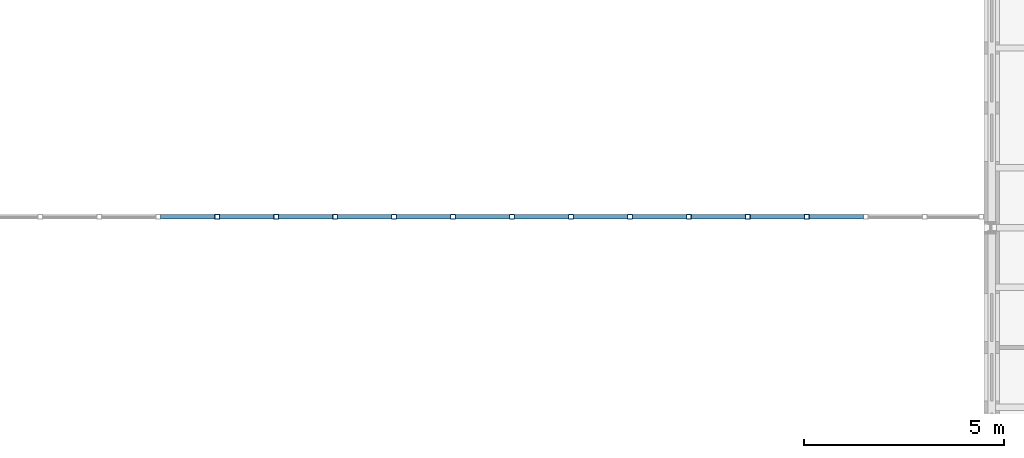
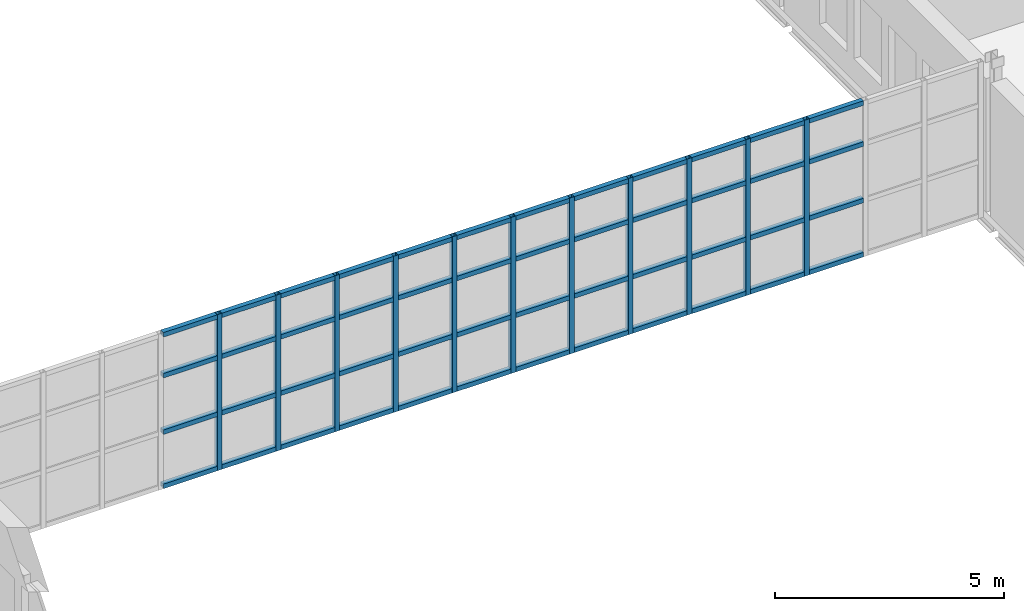
# One storey, part 31 of 154: 59 members, 1 element without a shape of its own.
"""IFC4 building model written with IfcOpenShell, lengths in metres."""

from ifc_helpers import new_model, si_unit, direction, frame, origin, origin_2d, place, context, subcontext, project, spatial, hollow_rectangle, extrude, material, material_profile, profile_set, type_object, element, aggregate, save


model = new_model("IFC4")

# Units and contexts
model_context = context("Model", 3, precision=1e-05, world=origin(), true_north=direction((0.0, 1.0)))
body_context = subcontext(model_context, "Body", "Model", "MODEL_VIEW")
ifc_project = project(units=[si_unit("LENGTHUNIT", "METRE"), si_unit("AREAUNIT", "SQUARE_METRE"), si_unit("VOLUMEUNIT", "CUBIC_METRE"), si_unit("PLANEANGLEUNIT", "RADIAN"), si_unit("MASSUNIT", "GRAM", prefix="KILO")], contexts=[model_context])

# Site, building, storey
site_placement = place(None, origin())
site = spatial("IfcSite", under=ifc_project, at=site_placement, CompositionType="ELEMENT")
building_placement = place(site_placement, origin())
building = spatial("IfcBuilding", under=site, at=building_placement, Name="Golden Quay Civic Hall", CompositionType="ELEMENT")
storey_placement = place(building_placement, frame((0.0, 0.0, 14.39990234375)))
storey = spatial("IfcBuildingStorey", under=building, at=storey_placement, Name="L03", CompositionType="ELEMENT", Elevation=14.39990234375)

# Curtain wall, members
ifc_material_1 = material(Name="Fire-resisting glass and steel", Category="steel")
curtain_wall_type = type_object("IfcCurtainWallType", Name="Fire-resisting glazed curtain wall EI 120", PredefinedType="NOTDEFINED", material=ifc_material_1)
curtain_wall_placement = place(storey_placement, origin())
curtain_wall = element("IfcCurtainWall", 1, at=curtain_wall_placement, inside=storey, type_object=curtain_wall_type, Name="CW3 curtain wall", PredefinedType="NOTDEFINED")
ifc_material_2 = material(Name="Steel S355", Category="steel")
ifc_material_profile_1 = material_profile(ifc_material_2, hollow_rectangle(XDim=0.1201171875, YDim=0.1201171875, WallThickness=0.008056640625, at=origin_2d()), Name="SHS 120x120x8")
ifc_profile_set_1 = profile_set([ifc_material_profile_1], Name="Steel S355")
member_type_1 = type_object("IfcMemberType", Name="Fire-resisting steel mullion SHS 120x120x8", PredefinedType="MULLION", material=ifc_profile_set_1)
member_1_placement = place(storey_placement, frame((79.5888671875, 36.27001953125, -0.199951171875), z_axis=(0.0, 0.0, 1.0), x_axis=(0.0, 1.0, 0.0)))
member_1 = element("IfcMember", 2, at=member_1_placement, type_object=member_type_1, Name="CW3 mullion 6", PredefinedType="MULLION", context=body_context, shape_type="SweptSolid", body=[
    extrude(hollow_rectangle(XDim=0.1201171875, YDim=0.1201171875, WallThickness=0.008056640625, at=origin_2d()), origin(), (0.0, 0.0, 1.0), 4.150146484375),
])
member_2_placement = place(storey_placement, frame((81.066650390625, 36.27001953125, -0.199951171875), z_axis=(0.0, 0.0, 1.0), x_axis=(0.0, 1.0, 0.0)))
member_2 = element("IfcMember", 3, at=member_2_placement, type_object=member_type_1, Name="CW3 mullion 7", PredefinedType="MULLION", context=body_context, shape_type="SweptSolid", body=[
    extrude(hollow_rectangle(XDim=0.1201171875, YDim=0.1201171875, WallThickness=0.008056640625, at=origin_2d()), origin(), (0.0, 0.0, 1.0), 4.150146484375),
])
member_3_placement = place(storey_placement, frame((82.54443359375, 36.27001953125, -0.199951171875), z_axis=(0.0, 0.0, 1.0), x_axis=(0.0, 1.0, 0.0)))
member_3 = element("IfcMember", 4, at=member_3_placement, type_object=member_type_1, Name="CW3 mullion 8", PredefinedType="MULLION", context=body_context, shape_type="SweptSolid", body=[
    extrude(hollow_rectangle(XDim=0.1201171875, YDim=0.1201171875, WallThickness=0.008056640625, at=origin_2d()), origin(), (0.0, 0.0, 1.0), 4.150146484375),
])
member_4_placement = place(storey_placement, frame((84.022216796875, 36.27001953125, -0.199951171875), z_axis=(0.0, 0.0, 1.0), x_axis=(0.0, 1.0, 0.0)))
member_4 = element("IfcMember", 5, at=member_4_placement, type_object=member_type_1, Name="CW3 mullion 9", PredefinedType="MULLION", context=body_context, shape_type="SweptSolid", body=[
    extrude(hollow_rectangle(XDim=0.1201171875, YDim=0.1201171875, WallThickness=0.008056640625, at=origin_2d()), origin(), (0.0, 0.0, 1.0), 4.150146484375),
])
member_5_placement = place(storey_placement, frame((85.5, 36.27001953125, -0.199951171875), z_axis=(0.0, 0.0, 1.0), x_axis=(0.0, 1.0, 0.0)))
member_5 = element("IfcMember", 6, at=member_5_placement, type_object=member_type_1, Name="CW3 mullion 10", PredefinedType="MULLION", context=body_context, shape_type="SweptSolid", body=[
    extrude(hollow_rectangle(XDim=0.1201171875, YDim=0.1201171875, WallThickness=0.008056640625, at=origin_2d()), origin(), (0.0, 0.0, 1.0), 4.150146484375),
])
member_6_placement = place(storey_placement, frame((86.977783203125, 36.27001953125, -0.199951171875), z_axis=(0.0, 0.0, 1.0), x_axis=(0.0, 1.0, 0.0)))
member_6 = element("IfcMember", 7, at=member_6_placement, type_object=member_type_1, Name="CW3 mullion 11", PredefinedType="MULLION", context=body_context, shape_type="SweptSolid", body=[
    extrude(hollow_rectangle(XDim=0.1201171875, YDim=0.1201171875, WallThickness=0.008056640625, at=origin_2d()), origin(), (0.0, 0.0, 1.0), 4.150146484375),
])
member_7_placement = place(storey_placement, frame((88.45556640625, 36.27001953125, -0.199951171875), z_axis=(0.0, 0.0, 1.0), x_axis=(0.0, 1.0, 0.0)))
member_7 = element("IfcMember", 8, at=member_7_placement, type_object=member_type_1, Name="CW3 mullion 12", PredefinedType="MULLION", context=body_context, shape_type="SweptSolid", body=[
    extrude(hollow_rectangle(XDim=0.1201171875, YDim=0.1201171875, WallThickness=0.008056640625, at=origin_2d()), origin(), (0.0, 0.0, 1.0), 4.150146484375),
])
member_8_placement = place(storey_placement, frame((89.933349609375, 36.27001953125, -0.199951171875), z_axis=(0.0, 0.0, 1.0), x_axis=(0.0, 1.0, 0.0)))
member_8 = element("IfcMember", 9, at=member_8_placement, type_object=member_type_1, Name="CW3 mullion 13", PredefinedType="MULLION", context=body_context, shape_type="SweptSolid", body=[
    extrude(hollow_rectangle(XDim=0.1201171875, YDim=0.1201171875, WallThickness=0.008056640625, at=origin_2d()), origin(), (0.0, 0.0, 1.0), 4.150146484375),
])
member_9_placement = place(storey_placement, frame((91.4111328125, 36.27001953125, -0.199951171875), z_axis=(0.0, 0.0, 1.0), x_axis=(0.0, 1.0, 0.0)))
member_9 = element("IfcMember", 10, at=member_9_placement, type_object=member_type_1, Name="CW3 mullion 14", PredefinedType="MULLION", context=body_context, shape_type="SweptSolid", body=[
    extrude(hollow_rectangle(XDim=0.1201171875, YDim=0.1201171875, WallThickness=0.008056640625, at=origin_2d()), origin(), (0.0, 0.0, 1.0), 4.150146484375),
])
member_10_placement = place(storey_placement, frame((92.888916015625, 36.27001953125, -0.199951171875), z_axis=(0.0, 0.0, 1.0), x_axis=(0.0, 1.0, 0.0)))
member_10 = element("IfcMember", 11, at=member_10_placement, type_object=member_type_1, Name="CW3 mullion 15", PredefinedType="MULLION", context=body_context, shape_type="SweptSolid", body=[
    extrude(hollow_rectangle(XDim=0.1201171875, YDim=0.1201171875, WallThickness=0.008056640625, at=origin_2d()), origin(), (0.0, 0.0, 1.0), 4.150146484375),
])
member_11_placement = place(storey_placement, frame((94.36669921875, 36.27001953125, -0.199951171875), z_axis=(0.0, 0.0, 1.0), x_axis=(0.0, 1.0, 0.0)))
member_11 = element("IfcMember", 12, at=member_11_placement, type_object=member_type_1, Name="CW3 mullion 16", PredefinedType="MULLION", context=body_context, shape_type="SweptSolid", body=[
    extrude(hollow_rectangle(XDim=0.1201171875, YDim=0.1201171875, WallThickness=0.008056640625, at=origin_2d()), origin(), (0.0, 0.0, 1.0), 4.150146484375),
])
ifc_material_3 = material(Name="Steel S355", Category="steel")
ifc_material_profile_2 = material_profile(ifc_material_3, hollow_rectangle(XDim=0.1201171875, YDim=0.1201171875, WallThickness=0.008056640625, at=origin_2d()), Name="SHS 120x120x8")
ifc_profile_set_2 = profile_set([ifc_material_profile_2], Name="Steel S355")
member_type_2 = type_object("IfcMemberType", Name="Fire-resisting steel transom SHS 120x120x8", PredefinedType="USERDEFINED", material=ifc_profile_set_2)
member_12_placement = place(storey_placement, frame((78.171142578125, 36.27001953125, -0.139892578125), z_axis=(1.0, 0.0, 0.0), x_axis=(0.0, 1.0, 0.0)))
member_12 = element("IfcMember", 13, at=member_12_placement, type_object=member_type_2, Name="CW3 transom 5.1", ObjectType="TRANSOM", PredefinedType="USERDEFINED", context=body_context, shape_type="SweptSolid", body=[
    extrude(hollow_rectangle(XDim=0.1201171875, YDim=0.1201171875, WallThickness=0.008056640625, at=origin_2d()), origin(), (0.0, 0.0, 1.0), 1.357666015625),
])
member_13_placement = place(storey_placement, frame((78.171142578125, 36.27001953125, 1.300048828125), z_axis=(1.0, 0.0, 0.0), x_axis=(0.0, 1.0, 0.0)))
member_13 = element("IfcMember", 14, at=member_13_placement, type_object=member_type_2, Name="CW3 transom 5.2", ObjectType="TRANSOM", PredefinedType="USERDEFINED", context=body_context, shape_type="SweptSolid", body=[
    extrude(hollow_rectangle(XDim=0.1201171875, YDim=0.1201171875, WallThickness=0.008056640625, at=origin_2d()), origin(), (0.0, 0.0, 1.0), 1.357666015625),
])
member_14_placement = place(storey_placement, frame((78.171142578125, 36.27001953125, 2.800048828125), z_axis=(1.0, 0.0, 0.0), x_axis=(0.0, 1.0, 0.0)))
member_14 = element("IfcMember", 15, at=member_14_placement, type_object=member_type_2, Name="CW3 transom 5.3", ObjectType="TRANSOM", PredefinedType="USERDEFINED", context=body_context, shape_type="SweptSolid", body=[
    extrude(hollow_rectangle(XDim=0.1201171875, YDim=0.1201171875, WallThickness=0.008056640625, at=origin_2d()), origin(), (0.0, 0.0, 1.0), 1.357666015625),
])
member_15_placement = place(storey_placement, frame((78.171142578125, 36.27001953125, 3.89013671875), z_axis=(1.0, 0.0, 0.0), x_axis=(0.0, 1.0, 0.0)))
member_15 = element("IfcMember", 16, at=member_15_placement, type_object=member_type_2, Name="CW3 transom 5.4", ObjectType="TRANSOM", PredefinedType="USERDEFINED", context=body_context, shape_type="SweptSolid", body=[
    extrude(hollow_rectangle(XDim=0.1201171875, YDim=0.1201171875, WallThickness=0.008056640625, at=origin_2d()), origin(), (0.0, 0.0, 1.0), 1.357666015625),
])
member_16_placement = place(storey_placement, frame((79.64892578125, 36.27001953125, -0.139892578125), z_axis=(1.0, 0.0, 0.0), x_axis=(0.0, 1.0, 0.0)))
member_16 = element("IfcMember", 17, at=member_16_placement, type_object=member_type_2, Name="CW3 transom 6.1", ObjectType="TRANSOM", PredefinedType="USERDEFINED", context=body_context, shape_type="SweptSolid", body=[
    extrude(hollow_rectangle(XDim=0.1201171875, YDim=0.1201171875, WallThickness=0.008056640625, at=origin_2d()), origin(), (0.0, 0.0, 1.0), 1.357666015625),
])
member_17_placement = place(storey_placement, frame((79.64892578125, 36.27001953125, 1.300048828125), z_axis=(1.0, 0.0, 0.0), x_axis=(0.0, 1.0, 0.0)))
member_17 = element("IfcMember", 18, at=member_17_placement, type_object=member_type_2, Name="CW3 transom 6.2", ObjectType="TRANSOM", PredefinedType="USERDEFINED", context=body_context, shape_type="SweptSolid", body=[
    extrude(hollow_rectangle(XDim=0.1201171875, YDim=0.1201171875, WallThickness=0.008056640625, at=origin_2d()), origin(), (0.0, 0.0, 1.0), 1.357666015625),
])
member_18_placement = place(storey_placement, frame((79.64892578125, 36.27001953125, 2.800048828125), z_axis=(1.0, 0.0, 0.0), x_axis=(0.0, 1.0, 0.0)))
member_18 = element("IfcMember", 19, at=member_18_placement, type_object=member_type_2, Name="CW3 transom 6.3", ObjectType="TRANSOM", PredefinedType="USERDEFINED", context=body_context, shape_type="SweptSolid", body=[
    extrude(hollow_rectangle(XDim=0.1201171875, YDim=0.1201171875, WallThickness=0.008056640625, at=origin_2d()), origin(), (0.0, 0.0, 1.0), 1.357666015625),
])
member_19_placement = place(storey_placement, frame((79.64892578125, 36.27001953125, 3.89013671875), z_axis=(1.0, 0.0, 0.0), x_axis=(0.0, 1.0, 0.0)))
member_19 = element("IfcMember", 20, at=member_19_placement, type_object=member_type_2, Name="CW3 transom 6.4", ObjectType="TRANSOM", PredefinedType="USERDEFINED", context=body_context, shape_type="SweptSolid", body=[
    extrude(hollow_rectangle(XDim=0.1201171875, YDim=0.1201171875, WallThickness=0.008056640625, at=origin_2d()), origin(), (0.0, 0.0, 1.0), 1.357666015625),
])
member_20_placement = place(storey_placement, frame((81.126708984375, 36.27001953125, -0.139892578125), z_axis=(1.0, 0.0, 0.0), x_axis=(0.0, 1.0, 0.0)))
member_20 = element("IfcMember", 21, at=member_20_placement, type_object=member_type_2, Name="CW3 transom 7.1", ObjectType="TRANSOM", PredefinedType="USERDEFINED", context=body_context, shape_type="SweptSolid", body=[
    extrude(hollow_rectangle(XDim=0.1201171875, YDim=0.1201171875, WallThickness=0.008056640625, at=origin_2d()), origin(), (0.0, 0.0, 1.0), 1.357666015625),
])
member_21_placement = place(storey_placement, frame((81.126708984375, 36.27001953125, 1.300048828125), z_axis=(1.0, 0.0, 0.0), x_axis=(0.0, 1.0, 0.0)))
member_21 = element("IfcMember", 22, at=member_21_placement, type_object=member_type_2, Name="CW3 transom 7.2", ObjectType="TRANSOM", PredefinedType="USERDEFINED", context=body_context, shape_type="SweptSolid", body=[
    extrude(hollow_rectangle(XDim=0.1201171875, YDim=0.1201171875, WallThickness=0.008056640625, at=origin_2d()), origin(), (0.0, 0.0, 1.0), 1.357666015625),
])
member_22_placement = place(storey_placement, frame((81.126708984375, 36.27001953125, 2.800048828125), z_axis=(1.0, 0.0, 0.0), x_axis=(0.0, 1.0, 0.0)))
member_22 = element("IfcMember", 23, at=member_22_placement, type_object=member_type_2, Name="CW3 transom 7.3", ObjectType="TRANSOM", PredefinedType="USERDEFINED", context=body_context, shape_type="SweptSolid", body=[
    extrude(hollow_rectangle(XDim=0.1201171875, YDim=0.1201171875, WallThickness=0.008056640625, at=origin_2d()), origin(), (0.0, 0.0, 1.0), 1.357666015625),
])
member_23_placement = place(storey_placement, frame((81.126708984375, 36.27001953125, 3.89013671875), z_axis=(1.0, 0.0, 0.0), x_axis=(0.0, 1.0, 0.0)))
member_23 = element("IfcMember", 24, at=member_23_placement, type_object=member_type_2, Name="CW3 transom 7.4", ObjectType="TRANSOM", PredefinedType="USERDEFINED", context=body_context, shape_type="SweptSolid", body=[
    extrude(hollow_rectangle(XDim=0.1201171875, YDim=0.1201171875, WallThickness=0.008056640625, at=origin_2d()), origin(), (0.0, 0.0, 1.0), 1.357666015625),
])
member_24_placement = place(storey_placement, frame((82.6044921875, 36.27001953125, -0.139892578125), z_axis=(1.0, 0.0, 0.0), x_axis=(0.0, 1.0, 0.0)))
member_24 = element("IfcMember", 25, at=member_24_placement, type_object=member_type_2, Name="CW3 transom 8.1", ObjectType="TRANSOM", PredefinedType="USERDEFINED", context=body_context, shape_type="SweptSolid", body=[
    extrude(hollow_rectangle(XDim=0.1201171875, YDim=0.1201171875, WallThickness=0.008056640625, at=origin_2d()), origin(), (0.0, 0.0, 1.0), 1.357666015625),
])
member_25_placement = place(storey_placement, frame((82.6044921875, 36.27001953125, 1.300048828125), z_axis=(1.0, 0.0, 0.0), x_axis=(0.0, 1.0, 0.0)))
member_25 = element("IfcMember", 26, at=member_25_placement, type_object=member_type_2, Name="CW3 transom 8.2", ObjectType="TRANSOM", PredefinedType="USERDEFINED", context=body_context, shape_type="SweptSolid", body=[
    extrude(hollow_rectangle(XDim=0.1201171875, YDim=0.1201171875, WallThickness=0.008056640625, at=origin_2d()), origin(), (0.0, 0.0, 1.0), 1.357666015625),
])
member_26_placement = place(storey_placement, frame((82.6044921875, 36.27001953125, 2.800048828125), z_axis=(1.0, 0.0, 0.0), x_axis=(0.0, 1.0, 0.0)))
member_26 = element("IfcMember", 27, at=member_26_placement, type_object=member_type_2, Name="CW3 transom 8.3", ObjectType="TRANSOM", PredefinedType="USERDEFINED", context=body_context, shape_type="SweptSolid", body=[
    extrude(hollow_rectangle(XDim=0.1201171875, YDim=0.1201171875, WallThickness=0.008056640625, at=origin_2d()), origin(), (0.0, 0.0, 1.0), 1.357666015625),
])
member_27_placement = place(storey_placement, frame((82.6044921875, 36.27001953125, 3.89013671875), z_axis=(1.0, 0.0, 0.0), x_axis=(0.0, 1.0, 0.0)))
member_27 = element("IfcMember", 28, at=member_27_placement, type_object=member_type_2, Name="CW3 transom 8.4", ObjectType="TRANSOM", PredefinedType="USERDEFINED", context=body_context, shape_type="SweptSolid", body=[
    extrude(hollow_rectangle(XDim=0.1201171875, YDim=0.1201171875, WallThickness=0.008056640625, at=origin_2d()), origin(), (0.0, 0.0, 1.0), 1.357666015625),
])
member_28_placement = place(storey_placement, frame((84.082275390625, 36.27001953125, -0.139892578125), z_axis=(1.0, 0.0, 0.0), x_axis=(0.0, 1.0, 0.0)))
member_28 = element("IfcMember", 29, at=member_28_placement, type_object=member_type_2, Name="CW3 transom 9.1", ObjectType="TRANSOM", PredefinedType="USERDEFINED", context=body_context, shape_type="SweptSolid", body=[
    extrude(hollow_rectangle(XDim=0.1201171875, YDim=0.1201171875, WallThickness=0.008056640625, at=origin_2d()), origin(), (0.0, 0.0, 1.0), 1.357666015625),
])
member_29_placement = place(storey_placement, frame((84.082275390625, 36.27001953125, 1.300048828125), z_axis=(1.0, 0.0, 0.0), x_axis=(0.0, 1.0, 0.0)))
member_29 = element("IfcMember", 30, at=member_29_placement, type_object=member_type_2, Name="CW3 transom 9.2", ObjectType="TRANSOM", PredefinedType="USERDEFINED", context=body_context, shape_type="SweptSolid", body=[
    extrude(hollow_rectangle(XDim=0.1201171875, YDim=0.1201171875, WallThickness=0.008056640625, at=origin_2d()), origin(), (0.0, 0.0, 1.0), 1.357666015625),
])
member_30_placement = place(storey_placement, frame((84.082275390625, 36.27001953125, 2.800048828125), z_axis=(1.0, 0.0, 0.0), x_axis=(0.0, 1.0, 0.0)))
member_30 = element("IfcMember", 31, at=member_30_placement, type_object=member_type_2, Name="CW3 transom 9.3", ObjectType="TRANSOM", PredefinedType="USERDEFINED", context=body_context, shape_type="SweptSolid", body=[
    extrude(hollow_rectangle(XDim=0.1201171875, YDim=0.1201171875, WallThickness=0.008056640625, at=origin_2d()), origin(), (0.0, 0.0, 1.0), 1.357666015625),
])
member_31_placement = place(storey_placement, frame((84.082275390625, 36.27001953125, 3.89013671875), z_axis=(1.0, 0.0, 0.0), x_axis=(0.0, 1.0, 0.0)))
member_31 = element("IfcMember", 32, at=member_31_placement, type_object=member_type_2, Name="CW3 transom 9.4", ObjectType="TRANSOM", PredefinedType="USERDEFINED", context=body_context, shape_type="SweptSolid", body=[
    extrude(hollow_rectangle(XDim=0.1201171875, YDim=0.1201171875, WallThickness=0.008056640625, at=origin_2d()), origin(), (0.0, 0.0, 1.0), 1.357666015625),
])
member_32_placement = place(storey_placement, frame((85.56005859375, 36.27001953125, -0.139892578125), z_axis=(1.0, 0.0, 0.0), x_axis=(0.0, 1.0, 0.0)))
member_32 = element("IfcMember", 33, at=member_32_placement, type_object=member_type_2, Name="CW3 transom 10.1", ObjectType="TRANSOM", PredefinedType="USERDEFINED", context=body_context, shape_type="SweptSolid", body=[
    extrude(hollow_rectangle(XDim=0.1201171875, YDim=0.1201171875, WallThickness=0.008056640625, at=origin_2d()), origin(), (0.0, 0.0, 1.0), 1.357666015625),
])
member_33_placement = place(storey_placement, frame((85.56005859375, 36.27001953125, 1.300048828125), z_axis=(1.0, 0.0, 0.0), x_axis=(0.0, 1.0, 0.0)))
member_33 = element("IfcMember", 34, at=member_33_placement, type_object=member_type_2, Name="CW3 transom 10.2", ObjectType="TRANSOM", PredefinedType="USERDEFINED", context=body_context, shape_type="SweptSolid", body=[
    extrude(hollow_rectangle(XDim=0.1201171875, YDim=0.1201171875, WallThickness=0.008056640625, at=origin_2d()), origin(), (0.0, 0.0, 1.0), 1.357666015625),
])
member_34_placement = place(storey_placement, frame((85.56005859375, 36.27001953125, 2.800048828125), z_axis=(1.0, 0.0, 0.0), x_axis=(0.0, 1.0, 0.0)))
member_34 = element("IfcMember", 35, at=member_34_placement, type_object=member_type_2, Name="CW3 transom 10.3", ObjectType="TRANSOM", PredefinedType="USERDEFINED", context=body_context, shape_type="SweptSolid", body=[
    extrude(hollow_rectangle(XDim=0.1201171875, YDim=0.1201171875, WallThickness=0.008056640625, at=origin_2d()), origin(), (0.0, 0.0, 1.0), 1.357666015625),
])
member_35_placement = place(storey_placement, frame((85.56005859375, 36.27001953125, 3.89013671875), z_axis=(1.0, 0.0, 0.0), x_axis=(0.0, 1.0, 0.0)))
member_35 = element("IfcMember", 36, at=member_35_placement, type_object=member_type_2, Name="CW3 transom 10.4", ObjectType="TRANSOM", PredefinedType="USERDEFINED", context=body_context, shape_type="SweptSolid", body=[
    extrude(hollow_rectangle(XDim=0.1201171875, YDim=0.1201171875, WallThickness=0.008056640625, at=origin_2d()), origin(), (0.0, 0.0, 1.0), 1.357666015625),
])
member_36_placement = place(storey_placement, frame((87.037841796875, 36.27001953125, -0.139892578125), z_axis=(1.0, 0.0, 0.0), x_axis=(0.0, 1.0, 0.0)))
member_36 = element("IfcMember", 37, at=member_36_placement, type_object=member_type_2, Name="CW3 transom 11.1", ObjectType="TRANSOM", PredefinedType="USERDEFINED", context=body_context, shape_type="SweptSolid", body=[
    extrude(hollow_rectangle(XDim=0.1201171875, YDim=0.1201171875, WallThickness=0.008056640625, at=origin_2d()), origin(), (0.0, 0.0, 1.0), 1.357666015625),
])
member_37_placement = place(storey_placement, frame((87.037841796875, 36.27001953125, 1.300048828125), z_axis=(1.0, 0.0, 0.0), x_axis=(0.0, 1.0, 0.0)))
member_37 = element("IfcMember", 38, at=member_37_placement, type_object=member_type_2, Name="CW3 transom 11.2", ObjectType="TRANSOM", PredefinedType="USERDEFINED", context=body_context, shape_type="SweptSolid", body=[
    extrude(hollow_rectangle(XDim=0.1201171875, YDim=0.1201171875, WallThickness=0.008056640625, at=origin_2d()), origin(), (0.0, 0.0, 1.0), 1.357666015625),
])
member_38_placement = place(storey_placement, frame((87.037841796875, 36.27001953125, 2.800048828125), z_axis=(1.0, 0.0, 0.0), x_axis=(0.0, 1.0, 0.0)))
member_38 = element("IfcMember", 39, at=member_38_placement, type_object=member_type_2, Name="CW3 transom 11.3", ObjectType="TRANSOM", PredefinedType="USERDEFINED", context=body_context, shape_type="SweptSolid", body=[
    extrude(hollow_rectangle(XDim=0.1201171875, YDim=0.1201171875, WallThickness=0.008056640625, at=origin_2d()), origin(), (0.0, 0.0, 1.0), 1.357666015625),
])
member_39_placement = place(storey_placement, frame((87.037841796875, 36.27001953125, 3.89013671875), z_axis=(1.0, 0.0, 0.0), x_axis=(0.0, 1.0, 0.0)))
member_39 = element("IfcMember", 40, at=member_39_placement, type_object=member_type_2, Name="CW3 transom 11.4", ObjectType="TRANSOM", PredefinedType="USERDEFINED", context=body_context, shape_type="SweptSolid", body=[
    extrude(hollow_rectangle(XDim=0.1201171875, YDim=0.1201171875, WallThickness=0.008056640625, at=origin_2d()), origin(), (0.0, 0.0, 1.0), 1.357666015625),
])
member_40_placement = place(storey_placement, frame((88.515625, 36.27001953125, -0.139892578125), z_axis=(1.0, 0.0, 0.0), x_axis=(0.0, 1.0, 0.0)))
member_40 = element("IfcMember", 41, at=member_40_placement, type_object=member_type_2, Name="CW3 transom 12.1", ObjectType="TRANSOM", PredefinedType="USERDEFINED", context=body_context, shape_type="SweptSolid", body=[
    extrude(hollow_rectangle(XDim=0.1201171875, YDim=0.1201171875, WallThickness=0.008056640625, at=origin_2d()), origin(), (0.0, 0.0, 1.0), 1.357666015625),
])
member_41_placement = place(storey_placement, frame((88.515625, 36.27001953125, 1.300048828125), z_axis=(1.0, 0.0, 0.0), x_axis=(0.0, 1.0, 0.0)))
member_41 = element("IfcMember", 42, at=member_41_placement, type_object=member_type_2, Name="CW3 transom 12.2", ObjectType="TRANSOM", PredefinedType="USERDEFINED", context=body_context, shape_type="SweptSolid", body=[
    extrude(hollow_rectangle(XDim=0.1201171875, YDim=0.1201171875, WallThickness=0.008056640625, at=origin_2d()), origin(), (0.0, 0.0, 1.0), 1.357666015625),
])
member_42_placement = place(storey_placement, frame((88.515625, 36.27001953125, 2.800048828125), z_axis=(1.0, 0.0, 0.0), x_axis=(0.0, 1.0, 0.0)))
member_42 = element("IfcMember", 43, at=member_42_placement, type_object=member_type_2, Name="CW3 transom 12.3", ObjectType="TRANSOM", PredefinedType="USERDEFINED", context=body_context, shape_type="SweptSolid", body=[
    extrude(hollow_rectangle(XDim=0.1201171875, YDim=0.1201171875, WallThickness=0.008056640625, at=origin_2d()), origin(), (0.0, 0.0, 1.0), 1.357666015625),
])
member_43_placement = place(storey_placement, frame((88.515625, 36.27001953125, 3.89013671875), z_axis=(1.0, 0.0, 0.0), x_axis=(0.0, 1.0, 0.0)))
member_43 = element("IfcMember", 44, at=member_43_placement, type_object=member_type_2, Name="CW3 transom 12.4", ObjectType="TRANSOM", PredefinedType="USERDEFINED", context=body_context, shape_type="SweptSolid", body=[
    extrude(hollow_rectangle(XDim=0.1201171875, YDim=0.1201171875, WallThickness=0.008056640625, at=origin_2d()), origin(), (0.0, 0.0, 1.0), 1.357666015625),
])
member_44_placement = place(storey_placement, frame((89.993408203125, 36.27001953125, -0.139892578125), z_axis=(1.0, 0.0, 0.0), x_axis=(0.0, 1.0, 0.0)))
member_44 = element("IfcMember", 45, at=member_44_placement, type_object=member_type_2, Name="CW3 transom 13.1", ObjectType="TRANSOM", PredefinedType="USERDEFINED", context=body_context, shape_type="SweptSolid", body=[
    extrude(hollow_rectangle(XDim=0.1201171875, YDim=0.1201171875, WallThickness=0.008056640625, at=origin_2d()), origin(), (0.0, 0.0, 1.0), 1.357666015625),
])
member_45_placement = place(storey_placement, frame((89.993408203125, 36.27001953125, 1.300048828125), z_axis=(1.0, 0.0, 0.0), x_axis=(0.0, 1.0, 0.0)))
member_45 = element("IfcMember", 46, at=member_45_placement, type_object=member_type_2, Name="CW3 transom 13.2", ObjectType="TRANSOM", PredefinedType="USERDEFINED", context=body_context, shape_type="SweptSolid", body=[
    extrude(hollow_rectangle(XDim=0.1201171875, YDim=0.1201171875, WallThickness=0.008056640625, at=origin_2d()), origin(), (0.0, 0.0, 1.0), 1.357666015625),
])
member_46_placement = place(storey_placement, frame((89.993408203125, 36.27001953125, 2.800048828125), z_axis=(1.0, 0.0, 0.0), x_axis=(0.0, 1.0, 0.0)))
member_46 = element("IfcMember", 47, at=member_46_placement, type_object=member_type_2, Name="CW3 transom 13.3", ObjectType="TRANSOM", PredefinedType="USERDEFINED", context=body_context, shape_type="SweptSolid", body=[
    extrude(hollow_rectangle(XDim=0.1201171875, YDim=0.1201171875, WallThickness=0.008056640625, at=origin_2d()), origin(), (0.0, 0.0, 1.0), 1.357666015625),
])
member_47_placement = place(storey_placement, frame((89.993408203125, 36.27001953125, 3.89013671875), z_axis=(1.0, 0.0, 0.0), x_axis=(0.0, 1.0, 0.0)))
member_47 = element("IfcMember", 48, at=member_47_placement, type_object=member_type_2, Name="CW3 transom 13.4", ObjectType="TRANSOM", PredefinedType="USERDEFINED", context=body_context, shape_type="SweptSolid", body=[
    extrude(hollow_rectangle(XDim=0.1201171875, YDim=0.1201171875, WallThickness=0.008056640625, at=origin_2d()), origin(), (0.0, 0.0, 1.0), 1.357666015625),
])
member_48_placement = place(storey_placement, frame((91.47119140625, 36.27001953125, -0.139892578125), z_axis=(1.0, 0.0, 0.0), x_axis=(0.0, 1.0, 0.0)))
member_48 = element("IfcMember", 49, at=member_48_placement, type_object=member_type_2, Name="CW3 transom 14.1", ObjectType="TRANSOM", PredefinedType="USERDEFINED", context=body_context, shape_type="SweptSolid", body=[
    extrude(hollow_rectangle(XDim=0.1201171875, YDim=0.1201171875, WallThickness=0.008056640625, at=origin_2d()), origin(), (0.0, 0.0, 1.0), 1.357666015625),
])
member_49_placement = place(storey_placement, frame((91.47119140625, 36.27001953125, 1.300048828125), z_axis=(1.0, 0.0, 0.0), x_axis=(0.0, 1.0, 0.0)))
member_49 = element("IfcMember", 50, at=member_49_placement, type_object=member_type_2, Name="CW3 transom 14.2", ObjectType="TRANSOM", PredefinedType="USERDEFINED", context=body_context, shape_type="SweptSolid", body=[
    extrude(hollow_rectangle(XDim=0.1201171875, YDim=0.1201171875, WallThickness=0.008056640625, at=origin_2d()), origin(), (0.0, 0.0, 1.0), 1.357666015625),
])
member_50_placement = place(storey_placement, frame((91.47119140625, 36.27001953125, 2.800048828125), z_axis=(1.0, 0.0, 0.0), x_axis=(0.0, 1.0, 0.0)))
member_50 = element("IfcMember", 51, at=member_50_placement, type_object=member_type_2, Name="CW3 transom 14.3", ObjectType="TRANSOM", PredefinedType="USERDEFINED", context=body_context, shape_type="SweptSolid", body=[
    extrude(hollow_rectangle(XDim=0.1201171875, YDim=0.1201171875, WallThickness=0.008056640625, at=origin_2d()), origin(), (0.0, 0.0, 1.0), 1.357666015625),
])
member_51_placement = place(storey_placement, frame((91.47119140625, 36.27001953125, 3.89013671875), z_axis=(1.0, 0.0, 0.0), x_axis=(0.0, 1.0, 0.0)))
member_51 = element("IfcMember", 52, at=member_51_placement, type_object=member_type_2, Name="CW3 transom 14.4", ObjectType="TRANSOM", PredefinedType="USERDEFINED", context=body_context, shape_type="SweptSolid", body=[
    extrude(hollow_rectangle(XDim=0.1201171875, YDim=0.1201171875, WallThickness=0.008056640625, at=origin_2d()), origin(), (0.0, 0.0, 1.0), 1.357666015625),
])
member_52_placement = place(storey_placement, frame((92.948974609375, 36.27001953125, -0.139892578125), z_axis=(1.0, 0.0, 0.0), x_axis=(0.0, 1.0, 0.0)))
member_52 = element("IfcMember", 53, at=member_52_placement, type_object=member_type_2, Name="CW3 transom 15.1", ObjectType="TRANSOM", PredefinedType="USERDEFINED", context=body_context, shape_type="SweptSolid", body=[
    extrude(hollow_rectangle(XDim=0.1201171875, YDim=0.1201171875, WallThickness=0.008056640625, at=origin_2d()), origin(), (0.0, 0.0, 1.0), 1.357666015625),
])
member_53_placement = place(storey_placement, frame((92.948974609375, 36.27001953125, 1.300048828125), z_axis=(1.0, 0.0, 0.0), x_axis=(0.0, 1.0, 0.0)))
member_53 = element("IfcMember", 54, at=member_53_placement, type_object=member_type_2, Name="CW3 transom 15.2", ObjectType="TRANSOM", PredefinedType="USERDEFINED", context=body_context, shape_type="SweptSolid", body=[
    extrude(hollow_rectangle(XDim=0.1201171875, YDim=0.1201171875, WallThickness=0.008056640625, at=origin_2d()), origin(), (0.0, 0.0, 1.0), 1.357666015625),
])
member_54_placement = place(storey_placement, frame((92.948974609375, 36.27001953125, 2.800048828125), z_axis=(1.0, 0.0, 0.0), x_axis=(0.0, 1.0, 0.0)))
member_54 = element("IfcMember", 55, at=member_54_placement, type_object=member_type_2, Name="CW3 transom 15.3", ObjectType="TRANSOM", PredefinedType="USERDEFINED", context=body_context, shape_type="SweptSolid", body=[
    extrude(hollow_rectangle(XDim=0.1201171875, YDim=0.1201171875, WallThickness=0.008056640625, at=origin_2d()), origin(), (0.0, 0.0, 1.0), 1.357666015625),
])
member_55_placement = place(storey_placement, frame((92.948974609375, 36.27001953125, 3.89013671875), z_axis=(1.0, 0.0, 0.0), x_axis=(0.0, 1.0, 0.0)))
member_55 = element("IfcMember", 56, at=member_55_placement, type_object=member_type_2, Name="CW3 transom 15.4", ObjectType="TRANSOM", PredefinedType="USERDEFINED", context=body_context, shape_type="SweptSolid", body=[
    extrude(hollow_rectangle(XDim=0.1201171875, YDim=0.1201171875, WallThickness=0.008056640625, at=origin_2d()), origin(), (0.0, 0.0, 1.0), 1.357666015625),
])
member_56_placement = place(storey_placement, frame((94.4267578125, 36.27001953125, -0.139892578125), z_axis=(1.0, 0.0, 0.0), x_axis=(0.0, 1.0, 0.0)))
member_56 = element("IfcMember", 57, at=member_56_placement, type_object=member_type_2, Name="CW3 transom 16.1", ObjectType="TRANSOM", PredefinedType="USERDEFINED", context=body_context, shape_type="SweptSolid", body=[
    extrude(hollow_rectangle(XDim=0.1201171875, YDim=0.1201171875, WallThickness=0.008056640625, at=origin_2d()), origin(), (0.0, 0.0, 1.0), 1.357666015625),
])
member_57_placement = place(storey_placement, frame((94.4267578125, 36.27001953125, 1.300048828125), z_axis=(1.0, 0.0, 0.0), x_axis=(0.0, 1.0, 0.0)))
member_57 = element("IfcMember", 58, at=member_57_placement, type_object=member_type_2, Name="CW3 transom 16.2", ObjectType="TRANSOM", PredefinedType="USERDEFINED", context=body_context, shape_type="SweptSolid", body=[
    extrude(hollow_rectangle(XDim=0.1201171875, YDim=0.1201171875, WallThickness=0.008056640625, at=origin_2d()), origin(), (0.0, 0.0, 1.0), 1.357666015625),
])
member_58_placement = place(storey_placement, frame((94.4267578125, 36.27001953125, 2.800048828125), z_axis=(1.0, 0.0, 0.0), x_axis=(0.0, 1.0, 0.0)))
member_58 = element("IfcMember", 59, at=member_58_placement, type_object=member_type_2, Name="CW3 transom 16.3", ObjectType="TRANSOM", PredefinedType="USERDEFINED", context=body_context, shape_type="SweptSolid", body=[
    extrude(hollow_rectangle(XDim=0.1201171875, YDim=0.1201171875, WallThickness=0.008056640625, at=origin_2d()), origin(), (0.0, 0.0, 1.0), 1.357666015625),
])
member_59_placement = place(storey_placement, frame((94.4267578125, 36.27001953125, 3.89013671875), z_axis=(1.0, 0.0, 0.0), x_axis=(0.0, 1.0, 0.0)))
member_59 = element("IfcMember", 60, at=member_59_placement, type_object=member_type_2, Name="CW3 transom 16.4", ObjectType="TRANSOM", PredefinedType="USERDEFINED", context=body_context, shape_type="SweptSolid", body=[
    extrude(hollow_rectangle(XDim=0.1201171875, YDim=0.1201171875, WallThickness=0.008056640625, at=origin_2d()), origin(), (0.0, 0.0, 1.0), 1.357666015625),
])
aggregate(curtain_wall, [member_1, member_2, member_3, member_4, member_5, member_6, member_7, member_8, member_9, member_10, member_11, member_12, member_13, member_14, member_15, member_16, member_17, member_18, member_19, member_20, member_21, member_22, member_23, member_24, member_25, member_26, member_27, member_28, member_29, member_30, member_31, member_32, member_33, member_34, member_35, member_36, member_37, member_38, member_39, member_40, member_41, member_42, member_43, member_44, member_45, member_46, member_47, member_48, member_49, member_50, member_51, member_52, member_53, member_54, member_55, member_56, member_57, member_58, member_59])

save(model, "model.ifc")
